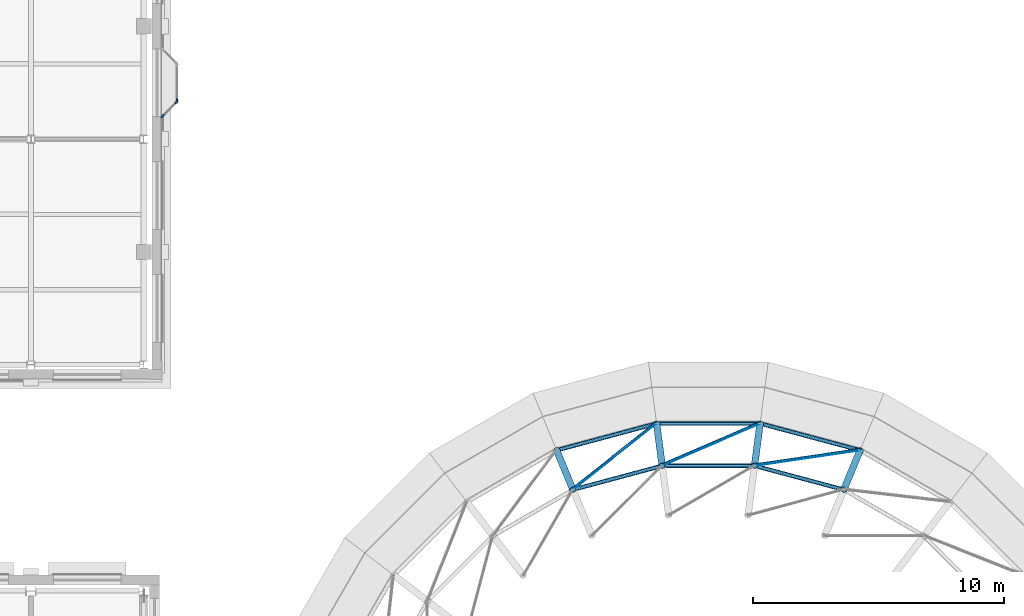
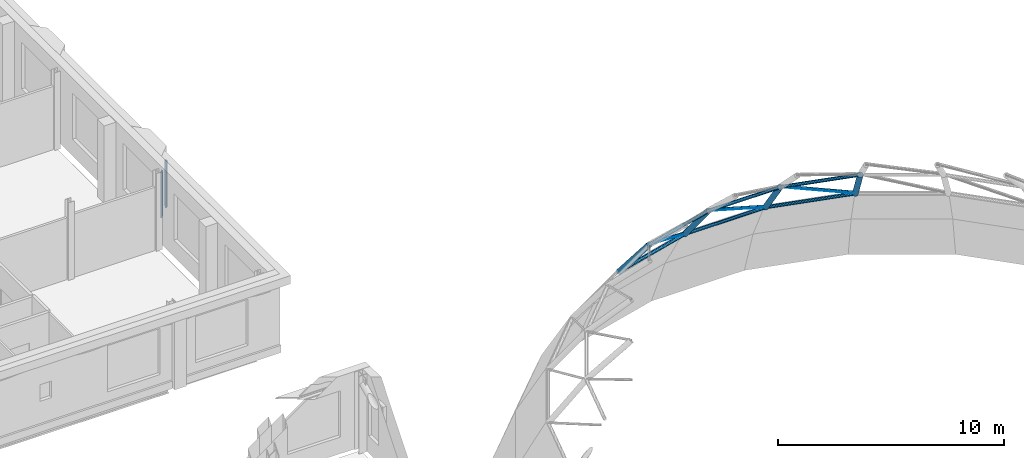
# One storey, part 9 of 62: 15 members, 4 beams, 2 elements without a shape of their own.
"""IFC4 building model written with IfcOpenShell, lengths in metres."""

import ifcopenshell
import ifcopenshell.guid

model = None  # the IFC model being written
_history = None  # IfcOwnerHistory: only IFC2X3 demands one
_inside = {}  # id of a spatial element -> (the spatial element, [elements in it])
_under = {}  # id of a project, library or spatial element -> (it, [spatial elements below it])
_declared = {}  # id of a project -> (the project, [libraries it declares])
_typed = {}  # id of a type object -> (the type object, [elements of that type])
_made_of = {}  # id of a material, layer set ... -> (it, [elements and type objects made of it])


def new_model(schema):
    """Start an empty IFC model of exactly this schema.

    Asked for "IFC4X3", IfcOpenShell would pick the latest addendum, in which some entities
    have other attributes; the version numbers below select the first issue.
    IFC2X3 requires an IfcOwnerHistory on every rooted entity: one is made here for all.
    """
    global model, _history
    if schema == "IFC4X3":
        model = ifcopenshell.file(schema_version=(4, 3, 0, 0))
    else:
        model = ifcopenshell.file(schema=schema)
    _inside.clear()
    _under.clear()
    _declared.clear()
    _typed.clear()
    _made_of.clear()
    _history = None
    if model.schema == "IFC2X3":
        org = make("IfcOrganization", Name="unknown")
        user = make(
            "IfcPersonAndOrganization",
            ThePerson=make("IfcPerson", FamilyName="unknown"),
            TheOrganization=org,
        )
        app = make(
            "IfcApplication",
            ApplicationDeveloper=org,
            Version="unknown",
            ApplicationFullName="unknown",
            ApplicationIdentifier="unknown",
        )
        _history = make(
            "IfcOwnerHistory",
            OwningUser=user,
            OwningApplication=app,
            ChangeAction="ADDED",
            CreationDate=0,
        )
    return model


def make(cls, **values):
    """One entity of the class cls with the attributes given. An attribute that is None is left unset."""
    return model.create_entity(
        cls, **{name: value for name, value in values.items() if value is not None}
    )


def rooted(cls, **values):
    """An entity with a GlobalId (a new one), such as an element, a storey or a relation."""
    return make(cls, GlobalId=ifcopenshell.guid.new(), OwnerHistory=_history, **values)


def si_unit(unit_type, name, prefix=None):
    """IfcSIUnit, for example si_unit("LENGTHUNIT", "METRE", prefix="MILLI")."""
    return make("IfcSIUnit", UnitType=unit_type, Prefix=prefix, Name=name)


def assignment(units):
    """IfcUnitAssignment: the units of a project."""
    return None if units is None else make("IfcUnitAssignment", Units=units)


def point(xyz):
    """IfcCartesianPoint."""
    return None if xyz is None else make("IfcCartesianPoint", Coordinates=xyz)


def direction(xyz):
    """IfcDirection."""
    return None if xyz is None else make("IfcDirection", DirectionRatios=xyz)


def frame(location, z_axis=None, x_axis=None):
    """IfcAxis2Placement3D, a coordinate frame: its origin and axes. An axis left out is left unset."""
    return make(
        "IfcAxis2Placement3D",
        Location=point(location),
        Axis=direction(z_axis),
        RefDirection=direction(x_axis),
    )


def frame_2d(location, x_axis=None):
    """IfcAxis2Placement2D, a coordinate frame in the plane: its origin and x axis."""
    return make(
        "IfcAxis2Placement2D", Location=point(location), RefDirection=direction(x_axis)
    )


def origin():
    """The frame at (0, 0, 0) with its axes left unset."""
    return frame((0.0, 0.0, 0.0))


def origin_2d():
    """The frame at (0, 0) in the plane with its x axis left unset."""
    return frame_2d((0.0, 0.0))


def place(relative_to, where):
    """IfcLocalPlacement: puts the frame where relative to a parent placement (None: the world)."""
    return make(
        "IfcLocalPlacement", PlacementRelTo=relative_to, RelativePlacement=where
    )


def context(
    kind, dimensions, precision=None, world=None, true_north=None, identifier=None
):
    """IfcGeometricRepresentationContext, for example the 3D "Model" context."""
    return make(
        "IfcGeometricRepresentationContext",
        ContextIdentifier=identifier,
        ContextType=kind,
        CoordinateSpaceDimension=dimensions,
        Precision=precision,
        WorldCoordinateSystem=world,
        TrueNorth=true_north,
    )


def subcontext(parent, identifier, kind, view, scale=None):
    """IfcGeometricRepresentationSubContext, for example "Body" below "Model"."""
    return make(
        "IfcGeometricRepresentationSubContext",
        ContextIdentifier=identifier,
        ContextType=kind,
        ParentContext=parent,
        TargetScale=scale,
        TargetView=view,
    )


def project(units=None, contexts=None):
    """IfcProject with its units and contexts."""
    return rooted(
        "IfcProject",
        Name="project",
        RepresentationContexts=contexts,
        UnitsInContext=assignment(units),
    )


def spatial(cls, under=None, at=None, **own):
    """A site, building, storey or space (cls), placed at a placement, below another one or the project."""
    s = rooted(cls, ObjectPlacement=at, **own)
    if under is not None:
        _under.setdefault(under.id(), (under, []))[1].append(s)
    return s


def profile(cls, at=None, kind="AREA", **sizes):
    """A parametric profile (cls). Its sizes go by their IFC names, for example OverallWidth=200.0."""
    return make(cls, ProfileType=kind, Position=at, **sizes)


def rectangle(**sizes):
    """IfcRectangleProfileDef."""
    return profile("IfcRectangleProfileDef", **sizes)


def circle(**sizes):
    """IfcCircleProfileDef."""
    return profile("IfcCircleProfileDef", **sizes)


def hollow_circle(**sizes):
    """IfcCircleHollowProfileDef."""
    return profile("IfcCircleHollowProfileDef", **sizes)


def extrude(swept, where, along, depth):
    """IfcExtrudedAreaSolid: the profile swept, set in the frame where, extruded along a direction by depth."""
    return make(
        "IfcExtrudedAreaSolid",
        SweptArea=swept,
        Position=where,
        ExtrudedDirection=direction(along),
        Depth=depth,
    )


def shape(context_of_items, identifier, shape_type, items):
    """IfcShapeRepresentation: the items that make up one representation, for example the "Body"."""
    return make(
        "IfcShapeRepresentation",
        ContextOfItems=context_of_items,
        RepresentationIdentifier=identifier,
        RepresentationType=shape_type,
        Items=items,
    )


def material(Name=None, Category=None):
    """IfcMaterial."""
    return make("IfcMaterial", Name=Name, Category=Category)


def layer(
    of_material, thickness, ventilated=None, Name=None, Category=None, Priority=None
):
    """IfcMaterialLayer: one layer of a wall or slab, of a material (None: an air gap)."""
    return make(
        "IfcMaterialLayer",
        Material=of_material,
        LayerThickness=thickness,
        IsVentilated=ventilated,
        Name=Name,
        Category=Category,
        Priority=Priority,
    )


def layer_set(layers, Name=None):
    """IfcMaterialLayerSet."""
    return make("IfcMaterialLayerSet", MaterialLayers=layers, LayerSetName=Name)


def material_profile(
    of_material, cross_section, Name=None, Category=None, Priority=None
):
    """IfcMaterialProfile: a cross section and its material."""
    return make(
        "IfcMaterialProfile",
        Name=Name,
        Material=of_material,
        Profile=cross_section,
        Priority=Priority,
        Category=Category,
    )


def profile_set(profiles, Name=None, composite=None):
    """IfcMaterialProfileSet."""
    return make(
        "IfcMaterialProfileSet",
        Name=Name,
        MaterialProfiles=profiles,
        CompositeProfile=composite,
    )


def made_of(thing, what):
    """Note that an element or type object is made of a material, layer set ...; save() writes the relation."""
    if what is not None:
        _made_of.setdefault(what.id(), (what, []))[1].append(thing)
    return thing


def type_object(cls, material=None, **own):
    """A type object (cls), such as IfcWallType, which elements share."""
    return made_of(rooted(cls, **own), material)


def element(
    cls,
    number,
    at=None,
    inside=None,
    cuts=None,
    type_object=None,
    material=None,
    context=None,
    identifier="Body",
    shape_type=None,
    held_by="IfcProductDefinitionShape",
    body=None,
    shapes=None,
    **own,
):
    """One element of the class cls, such as IfcWall. Its Tag is "e" and its number.

    at: its placement. inside: the storey or other place that contains it. cuts: it is an
    opening in that element (IfcRelVoidsElement). A single representation is given by context,
    identifier, shape_type and body (its items); several are given by shapes. held_by: the class
    of the entity that holds the representations. save() writes the other relations.
    """
    e = rooted(cls, Tag="e%d" % number, ObjectPlacement=at, **own)
    if body is not None:
        shapes = [shape(context, identifier, shape_type, body)]
    if shapes is not None:
        e.Representation = make(held_by, Representations=shapes)
    if inside is not None:
        _inside.setdefault(inside.id(), (inside, []))[1].append(e)
    if cuts is not None:
        rooted(
            "IfcRelVoidsElement", RelatingBuildingElement=cuts, RelatedOpeningElement=e
        )
    if type_object is not None:
        _typed.setdefault(type_object.id(), (type_object, []))[1].append(e)
    return made_of(e, material)


def aggregate(whole, parts):
    """IfcRelAggregates: a whole, such as a stair, and the parts it consists of."""
    return rooted("IfcRelAggregates", RelatingObject=whole, RelatedObjects=parts)


def save(model, path):
    """Write the relations noted so far, then the file.

    IfcRelAggregates (storeys below a building ...), IfcRelContainedInSpatialStructure (elements
    in a storey), IfcRelDefinesByType, IfcRelAssociatesMaterial and IfcRelDeclares: one each for
    every whole, place, type object, material and project.
    """
    for whole, parts in _under.values():
        aggregate(whole, parts)
    for where, things in _inside.values():
        rooted(
            "IfcRelContainedInSpatialStructure",
            RelatedElements=things,
            RelatingStructure=where,
        )
    for kind, things in _typed.values():
        rooted("IfcRelDefinesByType", RelatedObjects=things, RelatingType=kind)
    for what, things in _made_of.values():
        rooted("IfcRelAssociatesMaterial", RelatedObjects=things, RelatingMaterial=what)
    for by, libraries in _declared.values():
        rooted("IfcRelDeclares", RelatingContext=by, RelatedDefinitions=libraries)
    model.write(path)


model = new_model("IFC4")

# Units and contexts
model_context = context("Model", 3, precision=1e-05, world=origin(), true_north=direction((0.0, 1.0)))
body_context = subcontext(model_context, "Body", "Model", "MODEL_VIEW")
ifc_project = project(units=[si_unit("LENGTHUNIT", "METRE"), si_unit("AREAUNIT", "SQUARE_METRE"), si_unit("VOLUMEUNIT", "CUBIC_METRE"), si_unit("PLANEANGLEUNIT", "RADIAN"), si_unit("MASSUNIT", "GRAM", prefix="KILO")], contexts=[model_context])

# Site, building, storey
site_placement = place(None, origin())
site = spatial("IfcSite", under=ifc_project, at=site_placement, CompositionType="ELEMENT")
building_placement = place(site_placement, origin())
building = spatial("IfcBuilding", under=site, at=building_placement, Name="Hortulan Conservatory and Botanical Research Centre", CompositionType="ELEMENT")
storey_placement = place(building_placement, frame((0.0, 0.0, 15.0)))
storey = spatial("IfcBuildingStorey", under=building, at=storey_placement, Name="L03", CompositionType="ELEMENT", Elevation=15.0)

# Curtain wall, member
ifc_material_1 = material(Name="Bronze-finished aluminium", Category="aluminium")
ifc_layer = layer(ifc_material_1, 0.10009765625)
ifc_layer_set = layer_set([ifc_layer], Name="Oriel Curtain Wall 1350 module")
curtain_wall_type = type_object("IfcCurtainWallType", Name="Oriel Curtain Wall 1350 module", PredefinedType="NOTDEFINED", material=ifc_layer_set)
curtain_wall_1_placement = place(storey_placement, origin())
curtain_wall_1 = element("IfcCurtainWall", 1, at=curtain_wall_1_placement, inside=storey, type_object=curtain_wall_type, Name="Oriel glazing", PredefinedType="NOTDEFINED")
ifc_material_profile_1 = material_profile(ifc_material_1, rectangle(XDim=0.06005859375, YDim=0.159912109375, at=origin_2d()), Name="Bronze Mullion 60x160")
ifc_profile_set_1 = profile_set([ifc_material_profile_1], Name="Bronze-finished aluminium")
member_type_1 = type_object("IfcMemberType", Name="Bronze Mullion 60x160", PredefinedType="MULLION", material=ifc_profile_set_1)
member_1_placement = place(storey_placement, frame((32.824951171875, 46.530029296875, 0.89990234375), z_axis=(0.0, 0.0, 1.0), x_axis=(1.0, 0.0, 0.0)))
member_1 = element("IfcMember", 2, at=member_1_placement, type_object=member_type_1, Name="CW2 mullion 2", PredefinedType="MULLION", context=body_context, shape_type="SweptSolid", body=[
    extrude(rectangle(XDim=0.06005859375, YDim=0.159912109375, at=origin_2d()), origin(), (0.0, 0.0, 1.0), 2.5),
])
aggregate(curtain_wall_1, [member_1])

# Curtain wall, members
curtain_wall_2_placement = place(storey_placement, origin())
curtain_wall_2 = element("IfcCurtainWall", 3, at=curtain_wall_2_placement, inside=storey, type_object=curtain_wall_type, Name="Oriel glazing", PredefinedType="NOTDEFINED")
member_2_placement = place(storey_placement, frame((32.8037109375, 46.478759765625, 0.89990234375), z_axis=(0.0, 0.0, 1.0), x_axis=(0.707106781187, -0.707106781187, 0.0)))
member_2 = element("IfcMember", 4, at=member_2_placement, type_object=member_type_1, Name="CW2 mullion 1", PredefinedType="MULLION", context=body_context, shape_type="SweptSolid", body=[
    extrude(rectangle(XDim=0.06005859375, YDim=0.159912109375, at=origin_2d()), origin(), (0.0, 0.0, 1.0), 2.5),
])
member_3_placement = place(storey_placement, frame((32.24609375, 45.921142578125, 0.89990234375), z_axis=(0.0, 0.0, 1.0), x_axis=(0.707106781187, -0.707106781187, 0.0)))
member_3 = element("IfcMember", 5, at=member_3_placement, type_object=member_type_1, Name="CW2 mullion 2", PredefinedType="MULLION", context=body_context, shape_type="SweptSolid", body=[
    extrude(rectangle(XDim=0.06005859375, YDim=0.159912109375, at=origin_2d()), origin(), (0.0, 0.0, 1.0), 2.5),
])
aggregate(curtain_wall_2, [member_2, member_3])

# Members
ifc_material_2 = material(Name="Steel Grade 300PLUS (AS/NZS 3679.1, 280 MPa minimum yield)", Category="steel")
ifc_material_profile_2 = material_profile(ifc_material_2, circle(Radius=0.011962890625, at=origin_2d()), Name="24 dia rod")
ifc_profile_set_2 = profile_set([ifc_material_profile_2], Name="Steel Grade 300PLUS (AS/NZS 3679.1, 280 MPa minimum yield)")
member_type_2 = type_object("IfcMemberType", Name="Dome Diagonal Rod 24 dia rod", PredefinedType="BRACE", material=ifc_profile_set_2)
member_4_placement = place(storey_placement, frame((60.04736328125, 32.599609375, 0.515380859375), z_axis=(-0.879013209529, -0.129071585613, 0.458994883699), x_axis=(0.145279077903, -0.989390716312, 0.0)))
element("IfcMember", 6, at=member_4_placement, inside=storey, type_object=member_type_2, Name="Dome diagonal rod row 3 panel 05", PredefinedType="BRACE", context=body_context, shape_type="SweptSolid", body=[
    extrude(circle(Radius=0.011962890625, at=origin_2d()), origin(), (0.0, 0.0, 1.0), 4.78564453125),
])
member_5_placement = place(storey_placement, frame((56.0625, 33.667236328125, 0.515380859375), z_axis=(-0.815657425656, -0.352169327577, 0.458998615125), x_axis=(0.396392017261, -0.91808135187, 0.0)))
element("IfcMember", 7, at=member_5_placement, inside=storey, type_object=member_type_2, Name="Dome diagonal rod row 3 panel 06", PredefinedType="BRACE", context=body_context, shape_type="SweptSolid", body=[
    extrude(circle(Radius=0.011962890625, at=origin_2d()), origin(), (0.0, 0.0, 1.0), 4.785400390625),
])
member_6_placement = place(storey_placement, frame((51.9375, 33.667236328125, 0.515380859375), z_axis=(-0.696722880391, -0.551276813758, 0.45898921834), x_axis=(0.620498484987, -0.784207644778, 0.0)))
element("IfcMember", 8, at=member_6_placement, inside=storey, type_object=member_type_2, Name="Dome diagonal rod row 3 panel 07", PredefinedType="BRACE", context=body_context, shape_type="SweptSolid", body=[
    extrude(circle(Radius=0.011962890625, at=origin_2d()), origin(), (0.0, 0.0, 1.0), 4.78564453125),
])
ifc_material_profile_3 = material_profile(ifc_material_1, rectangle(XDim=0.050048828125, YDim=0.050048828125, at=origin_2d()), Name="Square bar 50x50")
ifc_profile_set_3 = profile_set([ifc_material_profile_3], Name="Bronze-finished aluminium")
member_type_3 = type_object("IfcMemberType", Name="Dome Glazing Bar 50x50", PredefinedType="MEMBER", material=ifc_profile_set_3)
member_7_placement = place(storey_placement, frame((60.07177734375, 32.658447265625, 0.5576171875), z_axis=(-0.879026130151, -0.129059327779, 0.45897358576), x_axis=(0.145263481844, -0.989393006263, 0.0)))
element("IfcMember", 9, at=member_7_placement, inside=storey, type_object=member_type_3, Name="Dome glazing bar row 3 panel 05", PredefinedType="MEMBER", context=body_context, shape_type="SweptSolid", body=[
    extrude(rectangle(XDim=0.050048828125, YDim=0.050048828125, at=origin_2d()), origin(), (0.0, 0.0, 1.0), 4.804931640625),
])
member_8_placement = place(storey_placement, frame((56.07080078125, 33.73046875, 0.5576171875), z_axis=(-0.815652350329, -0.352185798662, 0.458994996295), x_axis=(0.39640972246, -0.918073707247, 0.0)))
element("IfcMember", 10, at=member_8_placement, inside=storey, type_object=member_type_3, Name="Dome glazing bar row 3 panel 06", PredefinedType="MEMBER", context=body_context, shape_type="SweptSolid", body=[
    extrude(rectangle(XDim=0.050048828125, YDim=0.050048828125, at=origin_2d()), origin(), (0.0, 0.0, 1.0), 4.8046875),
])
member_9_placement = place(storey_placement, frame((51.92919921875, 33.73046875, 0.5576171875), z_axis=(-0.696743412348, -0.551277329831, 0.458957430448), x_axis=(0.620487597001, -0.784216259694, 0.0)))
element("IfcMember", 11, at=member_9_placement, inside=storey, type_object=member_type_3, Name="Dome glazing bar row 3 panel 07", PredefinedType="MEMBER", context=body_context, shape_type="SweptSolid", body=[
    extrude(rectangle(XDim=0.050048828125, YDim=0.050048828125, at=origin_2d()), origin(), (0.0, 0.0, 1.0), 4.80517578125),
])

# Beams
ifc_material_3 = material(Name="Steel Grade C350L0 (350 MPa, AS/NZS 1163)", Category="steel")
ifc_material_profile_4 = material_profile(ifc_material_3, hollow_circle(Radius=0.136474609375, WallThickness=0.00927734375, at=origin_2d()), Name="273.1x9.3CHS")
ifc_profile_set_4 = profile_set([ifc_material_profile_4], Name="Steel Grade C350L0 (350 MPa, AS/NZS 1163)")
beam_type = type_object("IfcBeamType", Name="Dome Rib 273.1x9.3 CHS", PredefinedType="BEAM", material=ifc_profile_set_4)
beam_1_placement = place(storey_placement, frame((60.04736328125, 32.599609375, 0.515380859375), z_axis=(-0.234248515373, -0.56544866769, 0.790819471974), x_axis=(0.923861041629, -0.382728070254, 0.0)))
element("IfcBeam", 12, at=beam_1_placement, inside=storey, type_object=beam_type, Name="Dome rib 05 segment 3", PredefinedType="BEAM", context=body_context, shape_type="SweptSolid", body=[
    extrude(hollow_circle(Radius=0.136474609375, WallThickness=0.00927734375, at=origin_2d()), origin(), (0.0, 0.0, 1.0), 2.777587890625),
])
for number, where, z_axis, x_axis, name in (
    (13, (56.0625, 33.667236328125, 0.515380859375), (-0.079814535975, -0.606783856644, 0.790849537626), (0.991459672171, -0.130413643681, 0.0), "Dome rib 06 segment 3"),
    (14, (51.9375, 33.667236328125, 0.515380859375), (0.079814535975, -0.606783856644, 0.790849537626), (0.991459672171, 0.130413643681, 0.0), "Dome rib 07 segment 3"),
):
    element("IfcBeam", number, at=place(storey_placement, frame(where, z_axis=z_axis, x_axis=x_axis)), inside=storey, type_object=beam_type, Name=name, PredefinedType="BEAM", context=body_context, shape_type="SweptSolid", body=[
        extrude(hollow_circle(Radius=0.136474609375, WallThickness=0.00927734375, at=origin_2d()), origin(), (0.0, 0.0, 1.0), 2.77734375),
    ])
beam_2_placement = place(storey_placement, frame((47.95263671875, 32.599609375, 0.515380859375), z_axis=(0.234248515373, -0.56544866769, 0.790819471974), x_axis=(0.923861041629, 0.382728070254, 0.0)))
element("IfcBeam", 15, at=beam_2_placement, inside=storey, type_object=beam_type, Name="Dome rib 08 segment 3", PredefinedType="BEAM", context=body_context, shape_type="SweptSolid", body=[
    extrude(hollow_circle(Radius=0.136474609375, WallThickness=0.00927734375, at=origin_2d()), origin(), (0.0, 0.0, 1.0), 2.777587890625),
])

# Members
ifc_material_profile_5 = material_profile(ifc_material_3, hollow_circle(Radius=0.084228515625, WallThickness=0.00634765625, at=origin_2d()), Name="168.3x6.4CHS")
ifc_profile_set_5 = profile_set([ifc_material_profile_5], Name="Steel Grade C350L0 (350 MPa, AS/NZS 1163)")
member_type_4 = type_object("IfcMemberType", Name="Dome Ring 168.3x6.4 CHS", PredefinedType="PURLIN", material=ifc_profile_set_5)
member_10_placement = place(storey_placement, frame((60.04736328125, 32.599609375, 0.515380859375), z_axis=(-0.965932731028, 0.258793274892, 0.0), x_axis=(-0.258793274892, -0.965932731028, 0.0)))
element("IfcMember", 16, at=member_10_placement, inside=storey, type_object=member_type_4, Name="Dome ring 2 chord 05", PredefinedType="PURLIN", context=body_context, shape_type="SweptSolid", body=[
    extrude(hollow_circle(Radius=0.084228515625, WallThickness=0.00634765625, at=origin_2d()), origin(), (0.0, 0.0, 1.0), 4.12548828125),
])
member_11_placement = place(storey_placement, frame((56.0625, 33.667236328125, 0.515380859375), z_axis=(-1.0, 0.0, 0.0), x_axis=(0.0, -1.0, 0.0)))
element("IfcMember", 17, at=member_11_placement, inside=storey, type_object=member_type_4, Name="Dome ring 2 chord 06", PredefinedType="PURLIN", context=body_context, shape_type="SweptSolid", body=[
    extrude(hollow_circle(Radius=0.084228515625, WallThickness=0.00634765625, at=origin_2d()), origin(), (0.0, 0.0, 1.0), 4.125),
])
member_12_placement = place(storey_placement, frame((51.9375, 33.667236328125, 0.515380859375), z_axis=(-0.965932731028, -0.258793274892, 0.0), x_axis=(0.258793274892, -0.965932731028, 0.0)))
element("IfcMember", 18, at=member_12_placement, inside=storey, type_object=member_type_4, Name="Dome ring 2 chord 07", PredefinedType="PURLIN", context=body_context, shape_type="SweptSolid", body=[
    extrude(hollow_circle(Radius=0.084228515625, WallThickness=0.00634765625, at=origin_2d()), origin(), (0.0, 0.0, 1.0), 4.12548828125),
])
member_13_placement = place(storey_placement, frame((59.396728515625, 31.029052734375, 2.7119140625), z_axis=(-0.965920520449, 0.258838845954, 0.0), x_axis=(-0.258838845954, -0.965920520449, 0.0)))
element("IfcMember", 19, at=member_13_placement, inside=storey, type_object=member_type_4, Name="Dome ring 3 chord 05", PredefinedType="PURLIN", context=body_context, shape_type="SweptSolid", body=[
    extrude(hollow_circle(Radius=0.084228515625, WallThickness=0.00634765625, at=origin_2d()), origin(), (0.0, 0.0, 1.0), 3.681396484375),
])
member_14_placement = place(storey_placement, frame((55.8408203125, 31.98193359375, 2.7119140625), z_axis=(-1.0, 0.0, 0.0), x_axis=(0.0, -1.0, 0.0)))
element("IfcMember", 20, at=member_14_placement, inside=storey, type_object=member_type_4, Name="Dome ring 3 chord 06", PredefinedType="PURLIN", context=body_context, shape_type="SweptSolid", body=[
    extrude(hollow_circle(Radius=0.084228515625, WallThickness=0.00634765625, at=origin_2d()), origin(), (0.0, 0.0, 1.0), 3.681640625),
])
member_15_placement = place(storey_placement, frame((52.1591796875, 31.98193359375, 2.7119140625), z_axis=(-0.965920520449, -0.258838845954, 0.0), x_axis=(0.258838845954, -0.965920520449, 0.0)))
element("IfcMember", 21, at=member_15_placement, inside=storey, type_object=member_type_4, Name="Dome ring 3 chord 07", PredefinedType="PURLIN", context=body_context, shape_type="SweptSolid", body=[
    extrude(hollow_circle(Radius=0.084228515625, WallThickness=0.00634765625, at=origin_2d()), origin(), (0.0, 0.0, 1.0), 3.681396484375),
])

save(model, "model.ifc")
